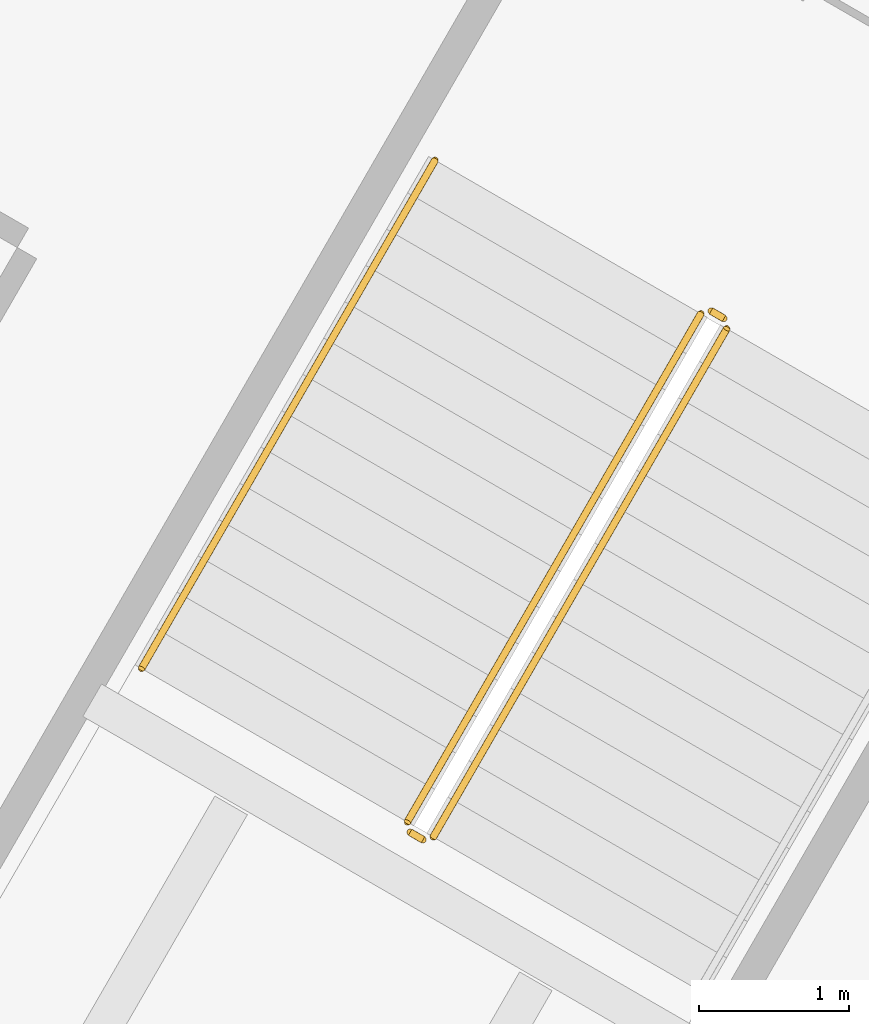
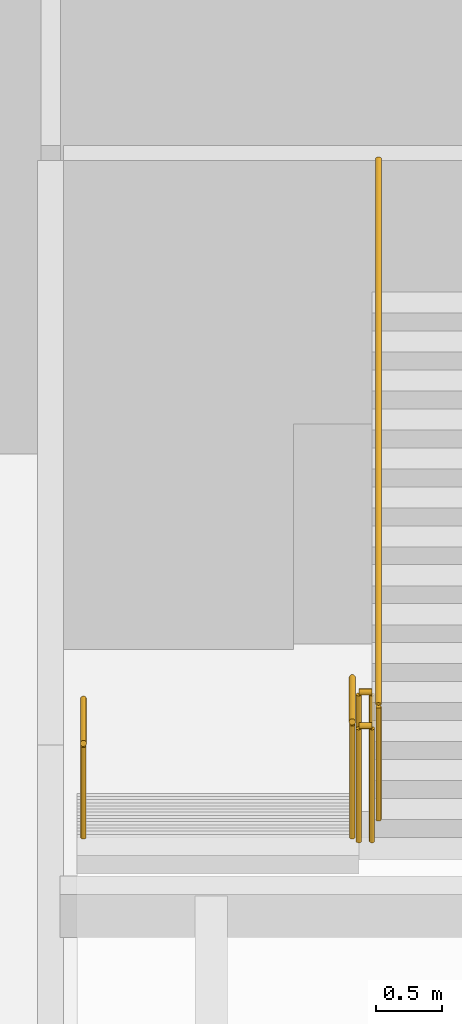
# One storey, part 20 of 24: 5 railings.
"""IFC4 building model written with IfcOpenShell, lengths in metres."""

from ifc_helpers import new_model, si_unit, direction, frame, origin, origin_2d, place, context, subcontext, project, spatial, circle, extrude, material, type_object, element, save


model = new_model("IFC4")

# Units and contexts
model_context = context("Model", 3, precision=1e-05, world=origin(), true_north=direction((0.0, 1.0)))
body_context = subcontext(model_context, "Body", "Model", "MODEL_VIEW")
ifc_project = project(units=[si_unit("LENGTHUNIT", "METRE"), si_unit("AREAUNIT", "SQUARE_METRE"), si_unit("VOLUMEUNIT", "CUBIC_METRE"), si_unit("PLANEANGLEUNIT", "RADIAN"), si_unit("MASSUNIT", "GRAM", prefix="KILO")], contexts=[model_context])

# Site, building, storey
site_placement = place(None, origin())
site = spatial("IfcSite", under=ifc_project, at=site_placement, CompositionType="ELEMENT")
building_placement = place(site_placement, origin())
building = spatial("IfcBuilding", under=site, at=building_placement, Name="Verdalira Terraces Hotel", CompositionType="ELEMENT")
storey_placement = place(building_placement, frame((0.0, 0.0, 14.0)))
storey = spatial("IfcBuildingStorey", under=building, at=storey_placement, Name="L02", CompositionType="ELEMENT", Elevation=14.0)

# Railings
ifc_material_1 = material(Name="Stainless steel", Category="steel")
railing_type_1 = type_object("IfcRailingType", Name="Stair guard 1100", PredefinedType="GUARDRAIL", material=ifc_material_1)
railing_1_placement = place(storey_placement, frame((28.694092, -15.700439, 0.166748)))
element("IfcRailing", 1, at=railing_1_placement, inside=storey, type_object=railing_type_1, Name="L02 PS3 stair guard 1", PredefinedType="GUARDRAIL", context=body_context, shape_type="SweptSolid", body=[
    extrude(circle(Radius=0.023926, at=origin_2d()), frame((0.0, 0.0, 1.076172), z_axis=(-0.429646478, -0.744174673, 0.511476256), x_axis=(0.8660269, -0.499997408, 0.0)), (0.0, 0.0, 1.0), 4.561768),
    extrude(circle(Radius=0.020996, at=origin_2d()), origin(), (0.0, 0.0, 1.0), 1.052002),
    extrude(circle(Radius=0.020996, at=origin_2d()), frame((-0.48999, -0.848633, 0.583252)), (0.0, 0.0, 1.0), 1.052002),
    extrude(circle(Radius=0.020996, at=origin_2d()), frame((-0.97998, -1.697266, 1.166504)), (0.0, 0.0, 1.0), 1.052002),
    extrude(circle(Radius=0.020996, at=origin_2d()), frame((-1.469971, -2.546143, 1.75)), (0.0, 0.0, 1.0), 1.052002),
    extrude(circle(Radius=0.020996, at=origin_2d()), frame((-1.959961, -3.394775, 2.333252)), (0.0, 0.0, 1.0), 1.052002),
])
railing_2_placement = place(storey_placement, frame((26.752441, -19.163574, 2.5)))
element("IfcRailing", 2, at=railing_2_placement, inside=storey, type_object=railing_type_1, Name="L02 PS3 stair guard 2", PredefinedType="GUARDRAIL", context=body_context, shape_type="SweptSolid", body=[
    extrude(circle(Radius=0.023926, at=origin_2d()), frame((0.0, 0.0, 1.076172), z_axis=(0.865370492, -0.501132629, 0.0), x_axis=(0.501132629, 0.865370492, 0.0)), (0.0, 0.0, 1.0), 0.099854),
    extrude(circle(Radius=0.020996, at=origin_2d()), origin(), (0.0, 0.0, 1.0), 1.052002),
    extrude(circle(Radius=0.020996, at=origin_2d()), frame((0.086426, -0.050049, 0.0)), (0.0, 0.0, 1.0), 1.052002),
])
railing_3_placement = place(storey_placement, frame((26.907227, -19.195312, 2.666748)))
element("IfcRailing", 3, at=railing_3_placement, inside=storey, type_object=railing_type_1, Name="L02 PS3 stair guard 3", PredefinedType="GUARDRAIL", context=body_context, shape_type="SweptSolid", body=[
    extrude(circle(Radius=0.023926, at=origin_2d()), frame((0.0, 0.0, 1.076172), z_axis=(0.429646478, 0.744174673, 0.511476256), x_axis=(-0.8660269, 0.499997408, 0.0)), (0.0, 0.0, 1.0), 4.561768),
    extrude(circle(Radius=0.020996, at=origin_2d()), origin(), (0.0, 0.0, 1.0), 1.052002),
    extrude(circle(Radius=0.020996, at=origin_2d()), frame((0.48999, 0.848633, 0.583252)), (0.0, 0.0, 1.0), 1.052002),
    extrude(circle(Radius=0.020996, at=origin_2d()), frame((0.97998, 1.697266, 1.166504)), (0.0, 0.0, 1.0), 1.052002),
    extrude(circle(Radius=0.020996, at=origin_2d()), frame((1.469971, 2.546143, 1.75)), (0.0, 0.0, 1.0), 1.052002),
    extrude(circle(Radius=0.020996, at=origin_2d()), frame((1.959961, 3.394775, 2.333252)), (0.0, 0.0, 1.0), 1.052002),
])
railing_4_placement = place(storey_placement, frame((28.762451, -15.682129, 0.0)))
element("IfcRailing", 4, at=railing_4_placement, inside=storey, type_object=railing_type_1, Name="L02 PS3 stair guard 4", PredefinedType="GUARDRAIL", context=body_context, shape_type="SweptSolid", body=[
    extrude(circle(Radius=0.023926, at=origin_2d()), frame((0.0, 0.0, 1.076172), z_axis=(0.865370492, -0.501132629, 0.0), x_axis=(0.501132629, 0.865370492, 0.0)), (0.0, 0.0, 1.0), 0.099854),
    extrude(circle(Radius=0.020996, at=origin_2d()), origin(), (0.0, 0.0, 1.0), 1.052002),
    extrude(circle(Radius=0.020996, at=origin_2d()), frame((0.086426, -0.050049, 0.0)), (0.0, 0.0, 1.0), 1.052002),
])
ifc_material_2 = material(Name="Stainless steel", Category="steel")
railing_type_2 = type_object("IfcRailingType", Name="Stair handrail 900", PredefinedType="HANDRAIL", material=ifc_material_2)
railing_5_placement = place(storey_placement, frame((26.918701, -14.675537, 0.166748)))
element("IfcRailing", 5, at=railing_5_placement, inside=storey, type_object=railing_type_2, Name="L02 PS3 stair handrail 1", PredefinedType="HANDRAIL", context=body_context, shape_type="SweptSolid", body=[
    extrude(circle(Radius=0.023926, at=origin_2d()), frame((0.0, 0.0, 0.875977), z_axis=(-0.429646478, -0.744174673, 0.511476256), x_axis=(0.8660269, -0.499997408, 0.0)), (0.0, 0.0, 1.0), 4.561768),
    extrude(circle(Radius=0.020996, at=origin_2d()), origin(), (0.0, 0.0, 1.0), 0.851807),
    extrude(circle(Radius=0.020996, at=origin_2d()), frame((-0.48999, -0.848633, 0.583252)), (0.0, 0.0, 1.0), 0.851807),
    extrude(circle(Radius=0.020996, at=origin_2d()), frame((-0.97998, -1.697266, 1.166504)), (0.0, 0.0, 1.0), 0.851807),
    extrude(circle(Radius=0.020996, at=origin_2d()), frame((-1.469971, -2.546143, 1.75)), (0.0, 0.0, 1.0), 0.851807),
    extrude(circle(Radius=0.020996, at=origin_2d()), frame((-1.959961, -3.394775, 2.333252)), (0.0, 0.0, 1.0), 0.851807),
])

save(model, "model.ifc")
